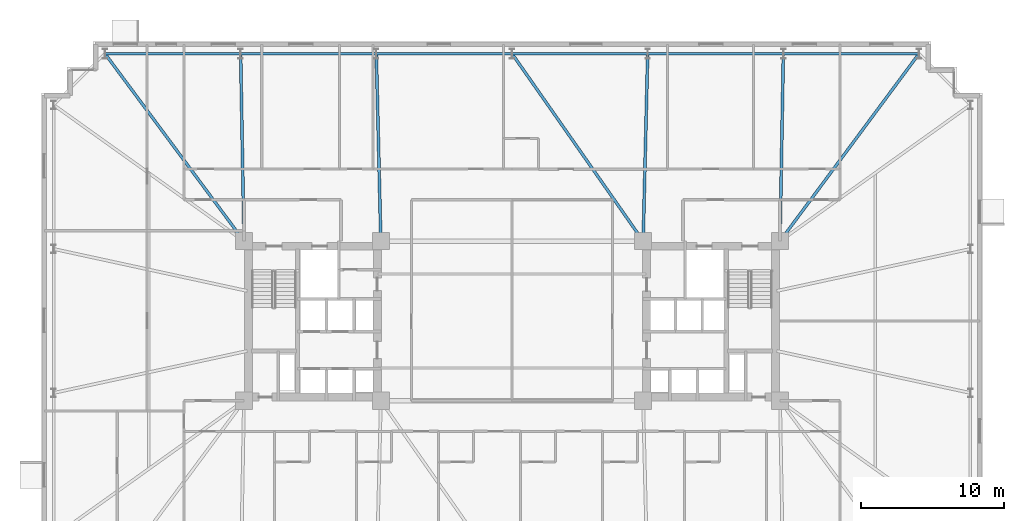
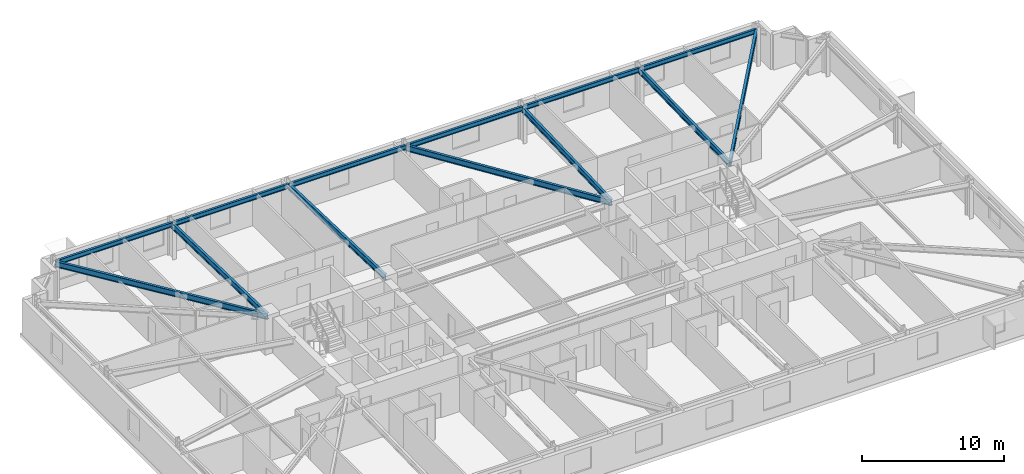
# One storey, part 9 of 20: 13 beams.
"""IFC4 building model written with IfcOpenShell, lengths in metres."""

from ifc_helpers import new_model, si_unit, direction, frame, origin, origin_2d, place, context, subcontext, project, spatial, i_section, extrude, material, material_profile, profile_set, type_object, element, save


model = new_model("IFC4")

# Units and contexts
model_context = context("Model", 3, precision=1e-05, world=origin(), true_north=direction((0.0, 1.0)))
body_context = subcontext(model_context, "Body", "Model", "MODEL_VIEW")
ifc_project = project(units=[si_unit("LENGTHUNIT", "METRE"), si_unit("AREAUNIT", "SQUARE_METRE"), si_unit("VOLUMEUNIT", "CUBIC_METRE"), si_unit("PLANEANGLEUNIT", "RADIAN"), si_unit("MASSUNIT", "GRAM", prefix="KILO")], contexts=[model_context])

# Site, building, storey
site_placement = place(None, origin())
site = spatial("IfcSite", under=ifc_project, at=site_placement, CompositionType="ELEMENT")
building_placement = place(site_placement, origin())
building = spatial("IfcBuilding", under=site, at=building_placement, Name="Qobustan Lattice House", CompositionType="ELEMENT")
storey_placement = place(building_placement, frame((0.0, 0.0, 63.85009765625)))
storey = spatial("IfcBuildingStorey", under=building, at=storey_placement, Name="L17", CompositionType="ELEMENT", Elevation=63.85009765625)

# Beams
ifc_material_1 = material(Name="Steel S355", Category="steel")
ifc_material_profile_1 = material_profile(ifc_material_1, i_section(OverallWidth=0.199951171875, OverallDepth=0.5, WebThickness=0.01025390625, FlangeThickness=0.01611328125, FilletRadius=0.02099609375, at=origin_2d()), Name="IPE500")
ifc_profile_set_1 = profile_set([ifc_material_profile_1], Name="Steel S355")
beam_type_1 = type_object("IfcBeamType", Name="BM-FLG-IPE500", PredefinedType="USERDEFINED", material=ifc_profile_set_1)
beam_1_placement = place(storey_placement, frame((-28.53515625, 18.72998046875, 2.784912109375), z_axis=(0.5955916815, -0.803287338956, 0.0), x_axis=(0.803287338956, 0.5955916815, 0.0)))
element("IfcBeam", 1, at=beam_1_placement, inside=storey, type_object=beam_type_1, Name="L17 primary floor girder RAD-N7W", ObjectType="GIRDER", PredefinedType="USERDEFINED", context=body_context, shape_type="SweptSolid", body=[
    extrude(i_section(OverallWidth=0.199951171875, OverallDepth=0.5, WebThickness=0.01025390625, FlangeThickness=0.01611328125, FilletRadius=0.02099609375, at=origin_2d()), origin(), (0.0, 0.0, 1.0), 16.3203125),
])
beam_2_placement = place(storey_placement, frame((-19.032958984375, 18.72509765625, 2.784912109375), z_axis=(0.017757831607, -0.999842317276, 0.0), x_axis=(0.999842317276, 0.017757831607, 0.0)))
element("IfcBeam", 2, at=beam_2_placement, inside=storey, type_object=beam_type_1, Name="L17 primary floor girder RAD-N6", ObjectType="GIRDER", PredefinedType="USERDEFINED", context=body_context, shape_type="SweptSolid", body=[
    extrude(i_section(OverallWidth=0.199951171875, OverallDepth=0.5, WebThickness=0.01025390625, FlangeThickness=0.01611328125, FilletRadius=0.02099609375, at=origin_2d()), origin(), (0.0, 0.0, 1.0), 13.10205078125),
])
beam_3_placement = place(storey_placement, frame((-9.51611328125, 18.72509765625, 2.784912109375), z_axis=(0.024071445657, -0.999710240772, 0.0), x_axis=(0.999710240772, 0.024071445657, 0.0)))
element("IfcBeam", 3, at=beam_3_placement, inside=storey, type_object=beam_type_1, Name="L17 primary floor girder RAD-N5", ObjectType="GIRDER", PredefinedType="USERDEFINED", context=body_context, shape_type="SweptSolid", body=[
    extrude(i_section(OverallWidth=0.199951171875, OverallDepth=0.5, WebThickness=0.01025390625, FlangeThickness=0.01611328125, FilletRadius=0.02099609375, at=origin_2d()), origin(), (0.0, 0.0, 1.0), 13.10400390625),
])
beam_4_placement = place(storey_placement, frame((0.014404296875, 18.7294921875, 2.784912109375), z_axis=(0.57325954206, -0.819373844736, 0.0), x_axis=(0.819373844736, 0.57325954206, 0.0)))
element("IfcBeam", 4, at=beam_4_placement, inside=storey, type_object=beam_type_1, Name="L17 primary floor girder RAD-N4", ObjectType="GIRDER", PredefinedType="USERDEFINED", context=body_context, shape_type="SweptSolid", body=[
    extrude(i_section(OverallWidth=0.199951171875, OverallDepth=0.5, WebThickness=0.01025390625, FlangeThickness=0.01611328125, FilletRadius=0.02099609375, at=origin_2d()), origin(), (0.0, 0.0, 1.0), 15.998779296875),
])
beam_5_placement = place(storey_placement, frame((9.51611328125, 18.72509765625, 2.784912109375), z_axis=(-0.024071445657, -0.999710240772, 0.0), x_axis=(0.999710240772, -0.024071445657, 0.0)))
element("IfcBeam", 5, at=beam_5_placement, inside=storey, type_object=beam_type_1, Name="L17 primary floor girder RAD-N3", ObjectType="GIRDER", PredefinedType="USERDEFINED", context=body_context, shape_type="SweptSolid", body=[
    extrude(i_section(OverallWidth=0.199951171875, OverallDepth=0.5, WebThickness=0.01025390625, FlangeThickness=0.01611328125, FilletRadius=0.02099609375, at=origin_2d()), origin(), (0.0, 0.0, 1.0), 13.10400390625),
])
beam_6_placement = place(storey_placement, frame((19.032958984375, 18.72509765625, 2.784912109375), z_axis=(-0.017757831607, -0.999842317276, 0.0), x_axis=(0.999842317276, -0.017757831607, 0.0)))
element("IfcBeam", 6, at=beam_6_placement, inside=storey, type_object=beam_type_1, Name="L17 primary floor girder RAD-N2", ObjectType="GIRDER", PredefinedType="USERDEFINED", context=body_context, shape_type="SweptSolid", body=[
    extrude(i_section(OverallWidth=0.199951171875, OverallDepth=0.5, WebThickness=0.01025390625, FlangeThickness=0.01611328125, FilletRadius=0.02099609375, at=origin_2d()), origin(), (0.0, 0.0, 1.0), 13.10205078125),
])
beam_7_placement = place(storey_placement, frame((28.53515625, 18.72998046875, 2.784912109375), z_axis=(-0.5955916815, -0.803287338956, 0.0), x_axis=(0.803287338956, -0.5955916815, 0.0)))
element("IfcBeam", 7, at=beam_7_placement, inside=storey, type_object=beam_type_1, Name="L17 primary floor girder RAD-N1E", ObjectType="GIRDER", PredefinedType="USERDEFINED", context=body_context, shape_type="SweptSolid", body=[
    extrude(i_section(OverallWidth=0.199951171875, OverallDepth=0.5, WebThickness=0.01025390625, FlangeThickness=0.01611328125, FilletRadius=0.02099609375, at=origin_2d()), origin(), (0.0, 0.0, 1.0), 16.3203125),
])
ifc_material_2 = material(Name="Steel S355", Category="steel")
ifc_material_profile_2 = material_profile(ifc_material_2, i_section(OverallWidth=0.179931640625, OverallDepth=0.39990234375, WebThickness=0.008544921875, FlangeThickness=0.013427734375, FilletRadius=0.02099609375, at=origin_2d()), Name="IPE400")
ifc_profile_set_2 = profile_set([ifc_material_profile_2], Name="Steel S355")
beam_type_2 = type_object("IfcBeamType", Name="BM-SPD-IPE400", PredefinedType="SPANDREL", material=ifc_profile_set_2)
for number, where, z_axis, x_axis, name in (
    (8, (28.52490234375, 18.75, 2.8349609375), (-1.0, 0.0, 0.0), (0.0, -1.0, 0.0), "L17 perimeter spandrel N1-N2"),
    (9, (19.00830078125, 18.75, 2.8349609375), (-1.0, 0.0, 0.0), (0.0, -1.0, 0.0), "L17 perimeter spandrel N2-N3"),
):
    element("IfcBeam", number, at=place(storey_placement, frame(where, z_axis=z_axis, x_axis=x_axis)), inside=storey, type_object=beam_type_2, Name=name, PredefinedType="SPANDREL", context=body_context, shape_type="SweptSolid", body=[
        extrude(i_section(OverallWidth=0.179931640625, OverallDepth=0.39990234375, WebThickness=0.008544921875, FlangeThickness=0.013427734375, FilletRadius=0.02099609375, at=origin_2d()), origin(), (0.0, 0.0, 1.0), 9.466552734375),
    ])
for number, where, z_axis, x_axis, name in (
    (10, (9.49169921875, 18.75, 2.8349609375), (-1.0, 0.0, 0.0), (0.0, -1.0, 0.0), "L17 perimeter spandrel N3-N4"),
    (11, (-0.02490234375, 18.75, 2.8349609375), (-1.0, 0.0, 0.0), (0.0, -1.0, 0.0), "L17 perimeter spandrel N4-N5"),
):
    element("IfcBeam", number, at=place(storey_placement, frame(where, z_axis=z_axis, x_axis=x_axis)), inside=storey, type_object=beam_type_2, Name=name, PredefinedType="SPANDREL", context=body_context, shape_type="SweptSolid", body=[
        extrude(i_section(OverallWidth=0.179931640625, OverallDepth=0.39990234375, WebThickness=0.008544921875, FlangeThickness=0.013427734375, FilletRadius=0.02099609375, at=origin_2d()), origin(), (0.0, 0.0, 1.0), 9.466796875),
    ])
for number, where, z_axis, x_axis, name in (
    (12, (-9.541748046875, 18.75, 2.8349609375), (-1.0, 0.0, 0.0), (0.0, -1.0, 0.0), "L17 perimeter spandrel N5-N6"),
    (13, (-19.058349609375, 18.75, 2.8349609375), (-1.0, 0.0, 0.0), (0.0, -1.0, 0.0), "L17 perimeter spandrel N6-N7"),
):
    element("IfcBeam", number, at=place(storey_placement, frame(where, z_axis=z_axis, x_axis=x_axis)), inside=storey, type_object=beam_type_2, Name=name, PredefinedType="SPANDREL", context=body_context, shape_type="SweptSolid", body=[
        extrude(i_section(OverallWidth=0.179931640625, OverallDepth=0.39990234375, WebThickness=0.008544921875, FlangeThickness=0.013427734375, FilletRadius=0.02099609375, at=origin_2d()), origin(), (0.0, 0.0, 1.0), 9.466552734375),
    ])

save(model, "model.ifc")
